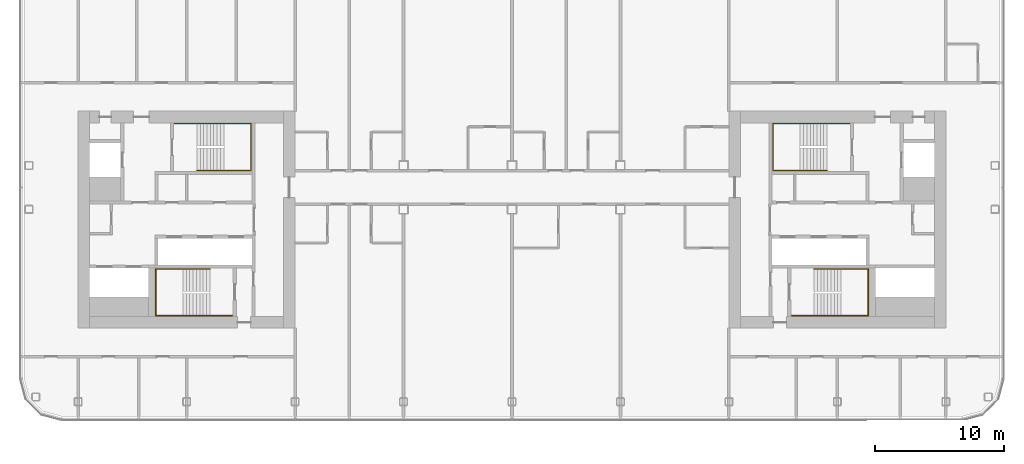
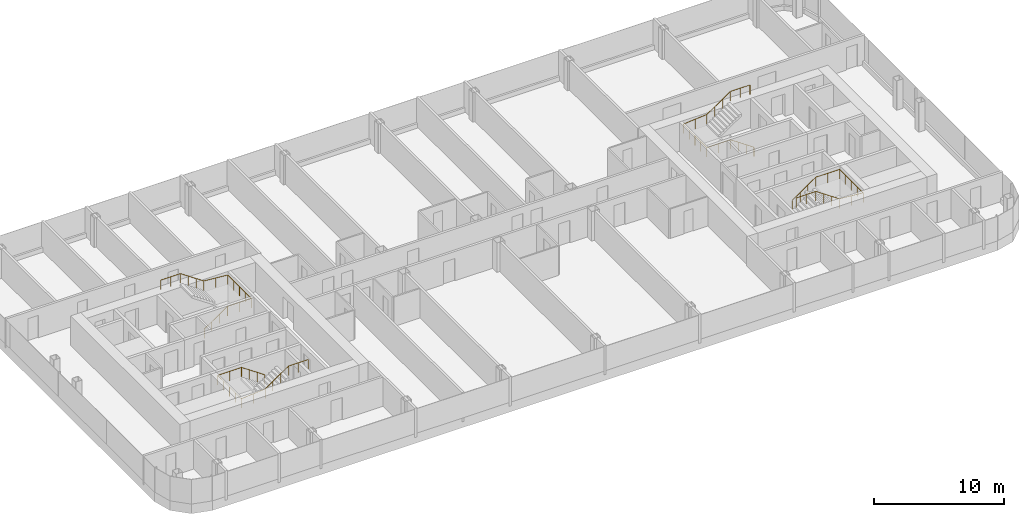
# One storey, part 26 of 26: 4 railings.
"""IFC4 building model written with IfcOpenShell, lengths in metres."""

from ifc_helpers import new_model, si_unit, direction, frame, origin, origin_2d, place, context, subcontext, project, spatial, circle, extrude, material, type_object, element, save


model = new_model("IFC4")

# Units and contexts
model_context = context("Model", 3, precision=1e-05, world=origin(), true_north=direction((0.0, 1.0)))
body_context = subcontext(model_context, "Body", "Model", "MODEL_VIEW")
ifc_project = project(units=[si_unit("LENGTHUNIT", "METRE"), si_unit("AREAUNIT", "SQUARE_METRE"), si_unit("VOLUMEUNIT", "CUBIC_METRE"), si_unit("PLANEANGLEUNIT", "RADIAN"), si_unit("MASSUNIT", "GRAM", prefix="KILO")], contexts=[model_context])

# Site, building, storey
site_placement = place(None, origin())
site = spatial("IfcSite", under=ifc_project, at=site_placement, CompositionType="ELEMENT")
building_placement = place(site_placement, origin())
building = spatial("IfcBuilding", under=site, at=building_placement, Name="Hakoniwa Tower and Hamabe Station Hall", CompositionType="ELEMENT")
storey_placement = place(building_placement, frame((0.0, 0.0, 212.199951171875)))
storey = spatial("IfcBuildingStorey", under=building, at=storey_placement, Name="L60", CompositionType="ELEMENT", Elevation=212.199951171875)

# Railings
ifc_material = material(Name="Stainless steel SUS304", Category="steel")
railing_type = type_object("IfcRailingType", Name="STAIR HANDRAIL 900", PredefinedType="HANDRAIL", material=ifc_material)
railing_1_placement = place(storey_placement, frame((-24.39990234375, 3.81005859375, 0.177734375)))
element("IfcRailing", 1, at=railing_1_placement, inside=storey, type_object=railing_type, Name="Handrail ST-1 L60 1", PredefinedType="HANDRAIL", context=body_context, shape_type="SweptSolid", body=[
    extrude(circle(Radius=0.02392578125, at=origin_2d()), frame((0.0, 0.0, 0.8759765625), z_axis=(0.825433201882, 0.0, 0.564499804456), x_axis=(0.0, 1.0, 0.0)), (0.0, 0.0, 1.0), 2.519775390625),
    extrude(circle(Radius=0.02392578125, at=origin_2d()), frame((2.079833984375, 0.0, 2.29833984375), z_axis=(1.0, 0.0, 0.0), x_axis=(0.0, 1.0, 0.0)), (0.0, 0.0, 1.0), 2.110107421875),
    extrude(circle(Radius=0.02392578125, at=origin_2d()), frame((4.18994140625, 0.0, 2.29833984375), z_axis=(0.0, 1.0, 0.0), x_axis=(-1.0, 0.0, 0.0)), (0.0, 0.0, 1.0), 3.6298828125),
    extrude(circle(Radius=0.02392578125, at=origin_2d()), frame((4.18994140625, 3.6298828125, 2.29833984375), z_axis=(-0.996471417081, 0.0, 0.083932800143), x_axis=(0.0, -1.0, 0.0)), (0.0, 0.0, 1.0), 2.11767578125),
    extrude(circle(Radius=0.02392578125, at=origin_2d()), frame((2.079833984375, 3.6298828125, 2.47607421875), z_axis=(-0.825478349766, 0.0, 0.564433781827), x_axis=(0.0, -1.0, 0.0)), (0.0, 0.0, 1.0), 2.51953125),
    extrude(circle(Radius=0.02392578125, at=origin_2d()), frame((0.0, 3.6298828125, 3.89794921875), z_axis=(-1.0, 0.0, 0.0), x_axis=(0.0, -1.0, 0.0)), (0.0, 0.0, 1.0), 1.739990234375),
    extrude(circle(Radius=0.02099609375, at=origin_2d()), origin(), (0.0, 0.0, 1.0), 0.851806640625),
    extrude(circle(Radius=0.02099609375, at=origin_2d()), frame((0.693359375, 0.0, 0.47412109375)), (0.0, 0.0, 1.0), 0.851806640625),
    extrude(circle(Radius=0.02099609375, at=origin_2d()), frame((1.386474609375, 0.0, 0.9482421875)), (0.0, 0.0, 1.0), 0.851806640625),
    extrude(circle(Radius=0.02099609375, at=origin_2d()), frame((2.079833984375, 0.0, 1.42236328125)), (0.0, 0.0, 1.0), 0.851806640625),
    extrude(circle(Radius=0.02099609375, at=origin_2d()), frame((3.134765625, 0.0, 1.42236328125)), (0.0, 0.0, 1.0), 0.851806640625),
    extrude(circle(Radius=0.02099609375, at=origin_2d()), frame((4.18994140625, 0.0, 1.42236328125)), (0.0, 0.0, 1.0), 0.851806640625),
    extrude(circle(Radius=0.02099609375, at=origin_2d()), frame((4.18994140625, 0.907470703125, 1.42236328125)), (0.0, 0.0, 1.0), 0.851806640625),
    extrude(circle(Radius=0.02099609375, at=origin_2d()), frame((4.18994140625, 1.81494140625, 1.42236328125)), (0.0, 0.0, 1.0), 0.851806640625),
    extrude(circle(Radius=0.02099609375, at=origin_2d()), frame((4.18994140625, 2.722412109375, 1.42236328125)), (0.0, 0.0, 1.0), 0.851806640625),
    extrude(circle(Radius=0.02099609375, at=origin_2d()), frame((4.18994140625, 3.6298828125, 1.42236328125)), (0.0, 0.0, 1.0), 0.851806640625),
    extrude(circle(Radius=0.02099609375, at=origin_2d()), frame((3.134765625, 3.6298828125, 1.51123046875)), (0.0, 0.0, 1.0), 0.851806640625),
    extrude(circle(Radius=0.02099609375, at=origin_2d()), frame((2.079833984375, 3.6298828125, 1.60009765625)), (0.0, 0.0, 1.0), 0.851806640625),
    extrude(circle(Radius=0.02099609375, at=origin_2d()), frame((1.386474609375, 3.6298828125, 2.07421875)), (0.0, 0.0, 1.0), 0.851806640625),
    extrude(circle(Radius=0.02099609375, at=origin_2d()), frame((0.693359375, 3.6298828125, 2.548095703125)), (0.0, 0.0, 1.0), 0.851806640625),
    extrude(circle(Radius=0.02099609375, at=origin_2d()), frame((0.0, 3.6298828125, 3.022216796875)), (0.0, 0.0, 1.0), 0.851806640625),
    extrude(circle(Radius=0.02099609375, at=origin_2d()), frame((-0.8701171875, 3.6298828125, 3.022216796875)), (0.0, 0.0, 1.0), 0.851806640625),
    extrude(circle(Radius=0.02099609375, at=origin_2d()), frame((-1.739990234375, 3.6298828125, 3.022216796875)), (0.0, 0.0, 1.0), 0.851806640625),
])
railing_2_placement = place(storey_placement, frame((-23.39990234375, -3.81005859375, 0.177734375)))
element("IfcRailing", 2, at=railing_2_placement, inside=storey, type_object=railing_type, Name="Handrail ST-2 L60 1", PredefinedType="HANDRAIL", context=body_context, shape_type="SweptSolid", body=[
    extrude(circle(Radius=0.02392578125, at=origin_2d()), frame((0.0, 0.0, 0.8759765625), z_axis=(-0.825464074169, 0.0, 0.564454659168), x_axis=(0.0, -1.0, 0.0)), (0.0, 0.0, 1.0), 2.519775390625),
    extrude(circle(Radius=0.02392578125, at=origin_2d()), frame((-2.080078125, 0.0, 2.29833984375), z_axis=(-1.0, 0.0, 0.0), x_axis=(0.0, -1.0, 0.0)), (0.0, 0.0, 1.0), 2.110107421875),
    extrude(circle(Radius=0.02392578125, at=origin_2d()), frame((-4.190185546875, 0.0, 2.29833984375), z_axis=(0.0, -1.0, 0.0), x_axis=(1.0, 0.0, 0.0)), (0.0, 0.0, 1.0), 3.6298828125),
    extrude(circle(Radius=0.02392578125, at=origin_2d()), frame((-4.190185546875, -3.6298828125, 2.29833984375), z_axis=(0.996471417081, 0.0, 0.083932800143), x_axis=(0.0, 1.0, 0.0)), (0.0, 0.0, 1.0), 2.11767578125),
    extrude(circle(Radius=0.02392578125, at=origin_2d()), frame((-2.080078125, -3.6298828125, 2.47607421875), z_axis=(0.82550921652, 0.0, 0.564388636881), x_axis=(0.0, 1.0, 0.0)), (0.0, 0.0, 1.0), 2.519775390625),
    extrude(circle(Radius=0.02392578125, at=origin_2d()), frame((0.0, -3.6298828125, 3.89794921875), z_axis=(1.0, 0.0, 0.0), x_axis=(0.0, 1.0, 0.0)), (0.0, 0.0, 1.0), 1.739990234375),
    extrude(circle(Radius=0.02099609375, at=origin_2d()), origin(), (0.0, 0.0, 1.0), 0.851806640625),
    extrude(circle(Radius=0.02099609375, at=origin_2d()), frame((-0.693359375, 0.0, 0.47412109375)), (0.0, 0.0, 1.0), 0.851806640625),
    extrude(circle(Radius=0.02099609375, at=origin_2d()), frame((-1.38671875, 0.0, 0.9482421875)), (0.0, 0.0, 1.0), 0.851806640625),
    extrude(circle(Radius=0.02099609375, at=origin_2d()), frame((-2.080078125, 0.0, 1.42236328125)), (0.0, 0.0, 1.0), 0.851806640625),
    extrude(circle(Radius=0.02099609375, at=origin_2d()), frame((-3.13525390625, 0.0, 1.42236328125)), (0.0, 0.0, 1.0), 0.851806640625),
    extrude(circle(Radius=0.02099609375, at=origin_2d()), frame((-4.190185546875, 0.0, 1.42236328125)), (0.0, 0.0, 1.0), 0.851806640625),
    extrude(circle(Radius=0.02099609375, at=origin_2d()), frame((-4.190185546875, -0.907470703125, 1.42236328125)), (0.0, 0.0, 1.0), 0.851806640625),
    extrude(circle(Radius=0.02099609375, at=origin_2d()), frame((-4.190185546875, -1.81494140625, 1.42236328125)), (0.0, 0.0, 1.0), 0.851806640625),
    extrude(circle(Radius=0.02099609375, at=origin_2d()), frame((-4.190185546875, -2.722412109375, 1.42236328125)), (0.0, 0.0, 1.0), 0.851806640625),
    extrude(circle(Radius=0.02099609375, at=origin_2d()), frame((-4.190185546875, -3.6298828125, 1.42236328125)), (0.0, 0.0, 1.0), 0.851806640625),
    extrude(circle(Radius=0.02099609375, at=origin_2d()), frame((-3.13525390625, -3.6298828125, 1.51123046875)), (0.0, 0.0, 1.0), 0.851806640625),
    extrude(circle(Radius=0.02099609375, at=origin_2d()), frame((-2.080078125, -3.6298828125, 1.60009765625)), (0.0, 0.0, 1.0), 0.851806640625),
    extrude(circle(Radius=0.02099609375, at=origin_2d()), frame((-1.38671875, -3.6298828125, 2.07421875)), (0.0, 0.0, 1.0), 0.851806640625),
    extrude(circle(Radius=0.02099609375, at=origin_2d()), frame((-0.693359375, -3.6298828125, 2.548095703125)), (0.0, 0.0, 1.0), 0.851806640625),
    extrude(circle(Radius=0.02099609375, at=origin_2d()), frame((0.0, -3.6298828125, 3.022216796875)), (0.0, 0.0, 1.0), 0.851806640625),
    extrude(circle(Radius=0.02099609375, at=origin_2d()), frame((0.8701171875, -3.6298828125, 3.022216796875)), (0.0, 0.0, 1.0), 0.851806640625),
    extrude(circle(Radius=0.02099609375, at=origin_2d()), frame((1.739990234375, -3.6298828125, 3.022216796875)), (0.0, 0.0, 1.0), 0.851806640625),
])
railing_3_placement = place(storey_placement, frame((24.39990234375, 3.81005859375, 0.177734375)))
element("IfcRailing", 3, at=railing_3_placement, inside=storey, type_object=railing_type, Name="Handrail ST-3 L60 1", PredefinedType="HANDRAIL", context=body_context, shape_type="SweptSolid", body=[
    extrude(circle(Radius=0.02392578125, at=origin_2d()), frame((0.0, 0.0, 0.8759765625), z_axis=(-0.825433201882, 0.0, 0.564499804456), x_axis=(0.0, -1.0, 0.0)), (0.0, 0.0, 1.0), 2.519775390625),
    extrude(circle(Radius=0.02392578125, at=origin_2d()), frame((-2.079833984375, 0.0, 2.29833984375), z_axis=(-1.0, 0.0, 0.0), x_axis=(0.0, -1.0, 0.0)), (0.0, 0.0, 1.0), 2.110107421875),
    extrude(circle(Radius=0.02392578125, at=origin_2d()), frame((-4.18994140625, 0.0, 2.29833984375), z_axis=(0.0, 1.0, 0.0), x_axis=(-1.0, 0.0, 0.0)), (0.0, 0.0, 1.0), 3.6298828125),
    extrude(circle(Radius=0.02392578125, at=origin_2d()), frame((-4.18994140625, 3.6298828125, 2.29833984375), z_axis=(0.996471417081, 0.0, 0.083932800143), x_axis=(0.0, 1.0, 0.0)), (0.0, 0.0, 1.0), 2.11767578125),
    extrude(circle(Radius=0.02392578125, at=origin_2d()), frame((-2.079833984375, 3.6298828125, 2.47607421875), z_axis=(0.825478349766, 0.0, 0.564433781827), x_axis=(0.0, 1.0, 0.0)), (0.0, 0.0, 1.0), 2.51953125),
    extrude(circle(Radius=0.02392578125, at=origin_2d()), frame((0.0, 3.6298828125, 3.89794921875), z_axis=(1.0, 0.0, 0.0), x_axis=(0.0, 1.0, 0.0)), (0.0, 0.0, 1.0), 1.739990234375),
    extrude(circle(Radius=0.02099609375, at=origin_2d()), origin(), (0.0, 0.0, 1.0), 0.851806640625),
    extrude(circle(Radius=0.02099609375, at=origin_2d()), frame((-0.693359375, 0.0, 0.47412109375)), (0.0, 0.0, 1.0), 0.851806640625),
    extrude(circle(Radius=0.02099609375, at=origin_2d()), frame((-1.386474609375, 0.0, 0.9482421875)), (0.0, 0.0, 1.0), 0.851806640625),
    extrude(circle(Radius=0.02099609375, at=origin_2d()), frame((-2.079833984375, 0.0, 1.42236328125)), (0.0, 0.0, 1.0), 0.851806640625),
    extrude(circle(Radius=0.02099609375, at=origin_2d()), frame((-3.134765625, 0.0, 1.42236328125)), (0.0, 0.0, 1.0), 0.851806640625),
    extrude(circle(Radius=0.02099609375, at=origin_2d()), frame((-4.18994140625, 0.0, 1.42236328125)), (0.0, 0.0, 1.0), 0.851806640625),
    extrude(circle(Radius=0.02099609375, at=origin_2d()), frame((-4.18994140625, 0.907470703125, 1.42236328125)), (0.0, 0.0, 1.0), 0.851806640625),
    extrude(circle(Radius=0.02099609375, at=origin_2d()), frame((-4.18994140625, 1.81494140625, 1.42236328125)), (0.0, 0.0, 1.0), 0.851806640625),
    extrude(circle(Radius=0.02099609375, at=origin_2d()), frame((-4.18994140625, 2.722412109375, 1.42236328125)), (0.0, 0.0, 1.0), 0.851806640625),
    extrude(circle(Radius=0.02099609375, at=origin_2d()), frame((-4.18994140625, 3.6298828125, 1.42236328125)), (0.0, 0.0, 1.0), 0.851806640625),
    extrude(circle(Radius=0.02099609375, at=origin_2d()), frame((-3.134765625, 3.6298828125, 1.51123046875)), (0.0, 0.0, 1.0), 0.851806640625),
    extrude(circle(Radius=0.02099609375, at=origin_2d()), frame((-2.079833984375, 3.6298828125, 1.60009765625)), (0.0, 0.0, 1.0), 0.851806640625),
    extrude(circle(Radius=0.02099609375, at=origin_2d()), frame((-1.386474609375, 3.6298828125, 2.07421875)), (0.0, 0.0, 1.0), 0.851806640625),
    extrude(circle(Radius=0.02099609375, at=origin_2d()), frame((-0.693359375, 3.6298828125, 2.548095703125)), (0.0, 0.0, 1.0), 0.851806640625),
    extrude(circle(Radius=0.02099609375, at=origin_2d()), frame((0.0, 3.6298828125, 3.022216796875)), (0.0, 0.0, 1.0), 0.851806640625),
    extrude(circle(Radius=0.02099609375, at=origin_2d()), frame((0.8701171875, 3.6298828125, 3.022216796875)), (0.0, 0.0, 1.0), 0.851806640625),
    extrude(circle(Radius=0.02099609375, at=origin_2d()), frame((1.739990234375, 3.6298828125, 3.022216796875)), (0.0, 0.0, 1.0), 0.851806640625),
])
railing_4_placement = place(storey_placement, frame((23.39990234375, -3.81005859375, 0.177734375)))
element("IfcRailing", 4, at=railing_4_placement, inside=storey, type_object=railing_type, Name="Handrail ST-4 L60 1", PredefinedType="HANDRAIL", context=body_context, shape_type="SweptSolid", body=[
    extrude(circle(Radius=0.02392578125, at=origin_2d()), frame((0.0, 0.0, 0.8759765625), z_axis=(0.825464074169, 0.0, 0.564454659168), x_axis=(0.0, 1.0, 0.0)), (0.0, 0.0, 1.0), 2.519775390625),
    extrude(circle(Radius=0.02392578125, at=origin_2d()), frame((2.080078125, 0.0, 2.29833984375), z_axis=(1.0, 0.0, 0.0), x_axis=(0.0, 1.0, 0.0)), (0.0, 0.0, 1.0), 2.110107421875),
    extrude(circle(Radius=0.02392578125, at=origin_2d()), frame((4.190185546875, 0.0, 2.29833984375), z_axis=(0.0, -1.0, 0.0), x_axis=(1.0, 0.0, 0.0)), (0.0, 0.0, 1.0), 3.6298828125),
    extrude(circle(Radius=0.02392578125, at=origin_2d()), frame((4.190185546875, -3.6298828125, 2.29833984375), z_axis=(-0.996471417081, 0.0, 0.083932800143), x_axis=(0.0, -1.0, 0.0)), (0.0, 0.0, 1.0), 2.11767578125),
    extrude(circle(Radius=0.02392578125, at=origin_2d()), frame((2.080078125, -3.6298828125, 2.47607421875), z_axis=(-0.82550921652, 0.0, 0.564388636881), x_axis=(0.0, -1.0, 0.0)), (0.0, 0.0, 1.0), 2.519775390625),
    extrude(circle(Radius=0.02392578125, at=origin_2d()), frame((0.0, -3.6298828125, 3.89794921875), z_axis=(-1.0, 0.0, 0.0), x_axis=(0.0, -1.0, 0.0)), (0.0, 0.0, 1.0), 1.739990234375),
    extrude(circle(Radius=0.02099609375, at=origin_2d()), origin(), (0.0, 0.0, 1.0), 0.851806640625),
    extrude(circle(Radius=0.02099609375, at=origin_2d()), frame((0.693359375, 0.0, 0.47412109375)), (0.0, 0.0, 1.0), 0.851806640625),
    extrude(circle(Radius=0.02099609375, at=origin_2d()), frame((1.38671875, 0.0, 0.9482421875)), (0.0, 0.0, 1.0), 0.851806640625),
    extrude(circle(Radius=0.02099609375, at=origin_2d()), frame((2.080078125, 0.0, 1.42236328125)), (0.0, 0.0, 1.0), 0.851806640625),
    extrude(circle(Radius=0.02099609375, at=origin_2d()), frame((3.13525390625, 0.0, 1.42236328125)), (0.0, 0.0, 1.0), 0.851806640625),
    extrude(circle(Radius=0.02099609375, at=origin_2d()), frame((4.190185546875, 0.0, 1.42236328125)), (0.0, 0.0, 1.0), 0.851806640625),
    extrude(circle(Radius=0.02099609375, at=origin_2d()), frame((4.190185546875, -0.907470703125, 1.42236328125)), (0.0, 0.0, 1.0), 0.851806640625),
    extrude(circle(Radius=0.02099609375, at=origin_2d()), frame((4.190185546875, -1.81494140625, 1.42236328125)), (0.0, 0.0, 1.0), 0.851806640625),
    extrude(circle(Radius=0.02099609375, at=origin_2d()), frame((4.190185546875, -2.722412109375, 1.42236328125)), (0.0, 0.0, 1.0), 0.851806640625),
    extrude(circle(Radius=0.02099609375, at=origin_2d()), frame((4.190185546875, -3.6298828125, 1.42236328125)), (0.0, 0.0, 1.0), 0.851806640625),
    extrude(circle(Radius=0.02099609375, at=origin_2d()), frame((3.13525390625, -3.6298828125, 1.51123046875)), (0.0, 0.0, 1.0), 0.851806640625),
    extrude(circle(Radius=0.02099609375, at=origin_2d()), frame((2.080078125, -3.6298828125, 1.60009765625)), (0.0, 0.0, 1.0), 0.851806640625),
    extrude(circle(Radius=0.02099609375, at=origin_2d()), frame((1.38671875, -3.6298828125, 2.07421875)), (0.0, 0.0, 1.0), 0.851806640625),
    extrude(circle(Radius=0.02099609375, at=origin_2d()), frame((0.693359375, -3.6298828125, 2.548095703125)), (0.0, 0.0, 1.0), 0.851806640625),
    extrude(circle(Radius=0.02099609375, at=origin_2d()), frame((0.0, -3.6298828125, 3.022216796875)), (0.0, 0.0, 1.0), 0.851806640625),
    extrude(circle(Radius=0.02099609375, at=origin_2d()), frame((-0.8701171875, -3.6298828125, 3.022216796875)), (0.0, 0.0, 1.0), 0.851806640625),
    extrude(circle(Radius=0.02099609375, at=origin_2d()), frame((-1.739990234375, -3.6298828125, 3.022216796875)), (0.0, 0.0, 1.0), 0.851806640625),
])

save(model, "model.ifc")
